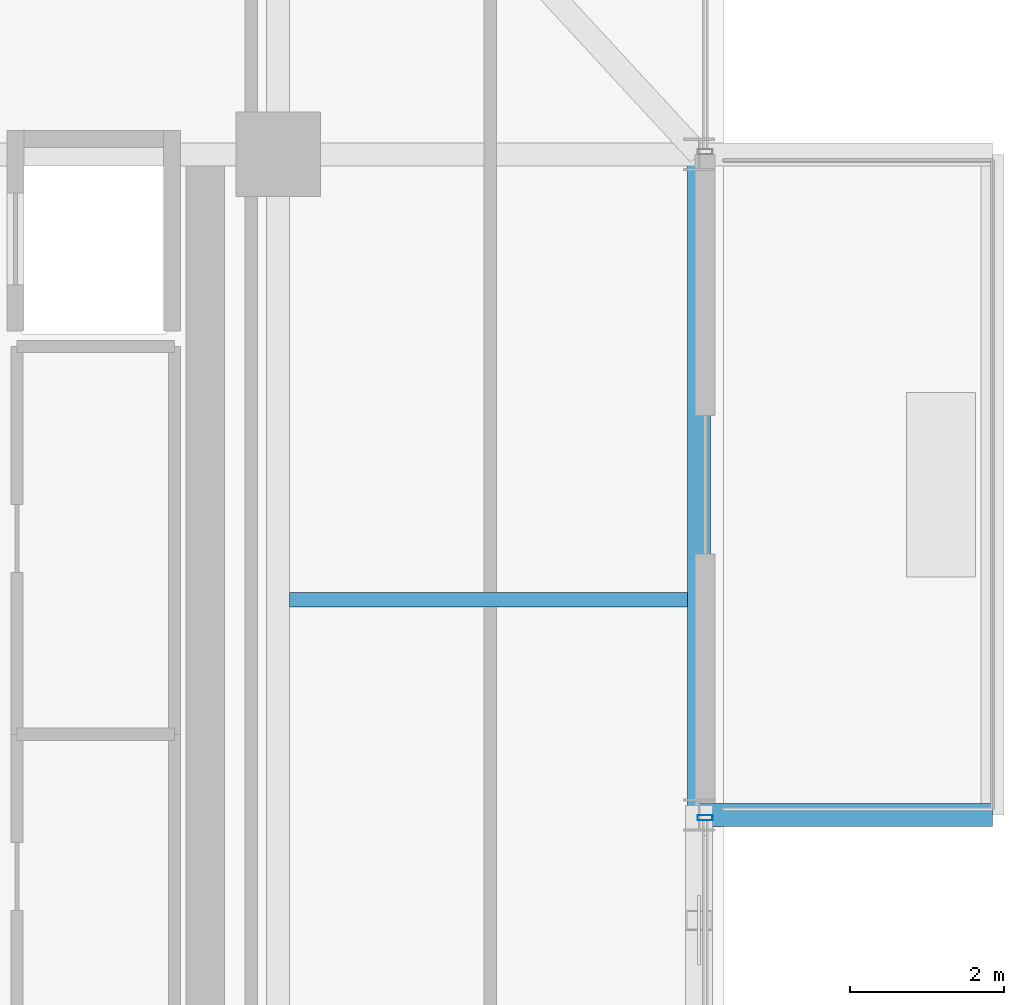
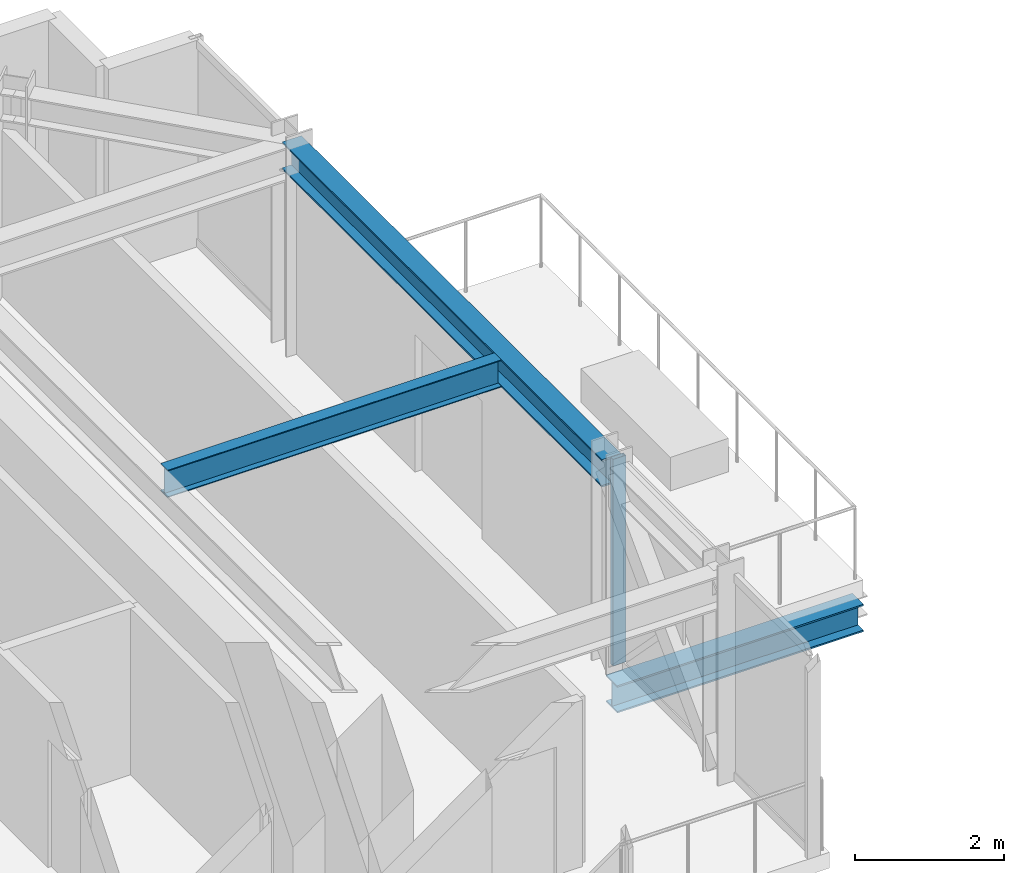
# One storey, part 26 of 38: 3 beams, 1 member, 1 element without a shape of its own.
"""IFC4 building model written with IfcOpenShell, lengths in metres."""

from ifc_helpers import new_model, si_unit, direction, frame, origin, origin_2d, place, context, subcontext, project, spatial, hollow_rectangle, i_section, extrude, source, transform, mapped, material, material_profile, profile_set, type_object, element, aggregate, save


model = new_model("IFC4")

# Units and contexts
model_context = context("Model", 3, precision=1e-05, world=origin(), true_north=direction((0.0, 1.0)))
body_context = subcontext(model_context, "Body", "Model", "MODEL_VIEW")
ifc_project = project(units=[si_unit("LENGTHUNIT", "METRE"), si_unit("AREAUNIT", "SQUARE_METRE"), si_unit("VOLUMEUNIT", "CUBIC_METRE"), si_unit("PLANEANGLEUNIT", "RADIAN"), si_unit("MASSUNIT", "GRAM", prefix="KILO")], contexts=[model_context])

# Site, building, storey
site_placement = place(None, origin())
site = spatial("IfcSite", under=ifc_project, at=site_placement, CompositionType="ELEMENT")
building_placement = place(site_placement, origin())
building = spatial("IfcBuilding", under=site, at=building_placement, Name="Nahalor Promenade Grand Hotel", CompositionType="ELEMENT")
storey_placement = place(building_placement, frame((0.0, 0.0, 178.199951171875)))
storey = spatial("IfcBuildingStorey", under=building, at=storey_placement, Name="L45", CompositionType="ELEMENT", Elevation=178.199951171875)

# Beams
ifc_material_1 = material(Name="Steel S355JR", Category="steel")
ifc_material_profile_1 = material_profile(ifc_material_1, i_section(OverallWidth=0.3, OverallDepth=0.45, WebThickness=0.014, FlangeThickness=0.026, at=origin_2d()), Name="HEB 450")
ifc_profile_set_1 = profile_set([ifc_material_profile_1], Name="Steel S355JR")
beam_type_1 = type_object("IfcBeamType", Name="Beam-Outrigger-HEB450", PredefinedType="BEAM", material=ifc_profile_set_1)
shared_shape_1 = source(origin(), body_context, "Body", "SweptSolid", [
    extrude(i_section(OverallWidth=0.3, OverallDepth=0.45, WebThickness=0.014, FlangeThickness=0.026, at=origin_2d()), origin(), (0.0, 0.0, 1.0), 3.820068359375),
])
beam_1_placement = place(storey_placement, frame((22.47998046875, 8.39990234375, -0.5048828125), z_axis=(1.0, 0.0, 0.0), x_axis=(0.0, 1.0, 0.0)))
element("IfcBeam", 1, at=beam_1_placement, inside=storey, type_object=beam_type_1, Name="BM-L45-BC-02-1", PredefinedType="BEAM", context=body_context, shape_type="MappedRepresentation", body=[
    mapped(shared_shape_1, transform((0.0, 0.0, 0.0), scale=1.0)),
])
ifc_material_profile_2 = material_profile(ifc_material_1, i_section(OverallWidth=0.19, OverallDepth=0.45, WebThickness=0.0094, FlangeThickness=0.0146, at=origin_2d()), Name="IPE 450")
ifc_profile_set_2 = profile_set([ifc_material_profile_2], Name="Steel S355JR")
beam_type_2 = type_object("IfcBeamType", Name="Beam-Joist-IPE450", PredefinedType="JOIST", material=ifc_profile_set_2)
shared_shape_2 = source(origin(), body_context, "Body", "SweptSolid", [
    extrude(i_section(OverallWidth=0.19, OverallDepth=0.45, WebThickness=0.0094, FlangeThickness=0.0146, at=origin_2d()), origin(), (0.0, 0.0, 1.0), 5.18017578125),
])
beam_2_placement = place(storey_placement, frame((17.14990234375, 11.199951171875, 3.1650390625), z_axis=(1.0, 0.0, 0.0), x_axis=(0.0, 1.0, 0.0)))
element("IfcBeam", 2, at=beam_2_placement, inside=storey, type_object=beam_type_2, Name="BM-L45-JSE-1-2", PredefinedType="JOIST", context=body_context, shape_type="MappedRepresentation", body=[
    mapped(shared_shape_2, transform((0.0, 0.0, 0.0), scale=1.0)),
])
ifc_material_profile_3 = material_profile(ifc_material_1, i_section(OverallWidth=0.3, OverallDepth=0.45, WebThickness=0.014, FlangeThickness=0.026, at=origin_2d()), Name="HEB 450")
ifc_profile_set_3 = profile_set([ifc_material_profile_3], Name="Steel S355JR")
beam_type_3 = type_object("IfcBeamType", Name="Beam-Spandrel-HEB450", PredefinedType="SPANDREL", material=ifc_profile_set_3)
shared_shape_3 = source(origin(), body_context, "Body", "SweptSolid", [
    extrude(i_section(OverallWidth=0.3, OverallDepth=0.45, WebThickness=0.014, FlangeThickness=0.026, at=origin_2d()), origin(), (0.0, 0.0, 1.0), 8.60009765625),
])
beam_3_placement = place(storey_placement, frame((22.47998046875, 8.39990234375, 3.1650390625), z_axis=(0.0, 1.0, 0.0), x_axis=(-1.0, 0.0, 0.0)))
element("IfcBeam", 3, at=beam_3_placement, inside=storey, type_object=beam_type_3, Name="BM-L45-SP-E-4", PredefinedType="SPANDREL", context=body_context, shape_type="MappedRepresentation", body=[
    mapped(shared_shape_3, transform((0.0, 0.0, 0.0), scale=1.0)),
])

# Curtain wall, member
ifc_material_2 = material(Name="Anodised Bronze Aluminium EN AW-6063 T6", Category="aluminium")
curtain_wall_type = type_object("IfcCurtainWallType", Name="CW3 Elliptical-Void Collar Unitised Curtain Wall", PredefinedType="USERDEFINED", material=ifc_material_2)
curtain_wall_placement = place(storey_placement, origin())
curtain_wall = element("IfcCurtainWall", 4, at=curtain_wall_placement, inside=storey, type_object=curtain_wall_type, Name="L45 Curtain Wall CW-L45-E-2", ObjectType="UNITISED_CURTAIN_WALL", PredefinedType="USERDEFINED")
ifc_material_profile_4 = material_profile(ifc_material_2, hollow_rectangle(XDim=0.07, YDim=0.2, WallThickness=0.005, at=origin_2d()), Name="CWM 70x200x5")
ifc_profile_set_4 = profile_set([ifc_material_profile_4], Name="Anodised Bronze Aluminium EN AW-6063 T6")
member_type = type_object("IfcMemberType", Name="CWM3 Void Collar Mullion 70x200", PredefinedType="MULLION", material=ifc_profile_set_4)
shared_shape_4 = source(origin(), body_context, "Body", "SweptSolid", [
    extrude(hollow_rectangle(XDim=0.07, YDim=0.2, WallThickness=0.005, at=origin_2d()), origin(), (0.0, 0.0, 1.0), 3.39013671875),
])
member_placement = place(storey_placement, frame((22.56005859375, 8.364990234375, 0.0), z_axis=(0.0, 0.0, 1.0), x_axis=(0.0, 1.0, 0.0)))
member = element("IfcMember", 5, at=member_placement, type_object=member_type, Name="CW-L45-E-2 Mullion 1", PredefinedType="MULLION", context=body_context, shape_type="MappedRepresentation", body=[
    mapped(shared_shape_4, transform((0.0, 0.0, 0.0), scale=1.0)),
])
aggregate(curtain_wall, [member])

save(model, "model.ifc")
